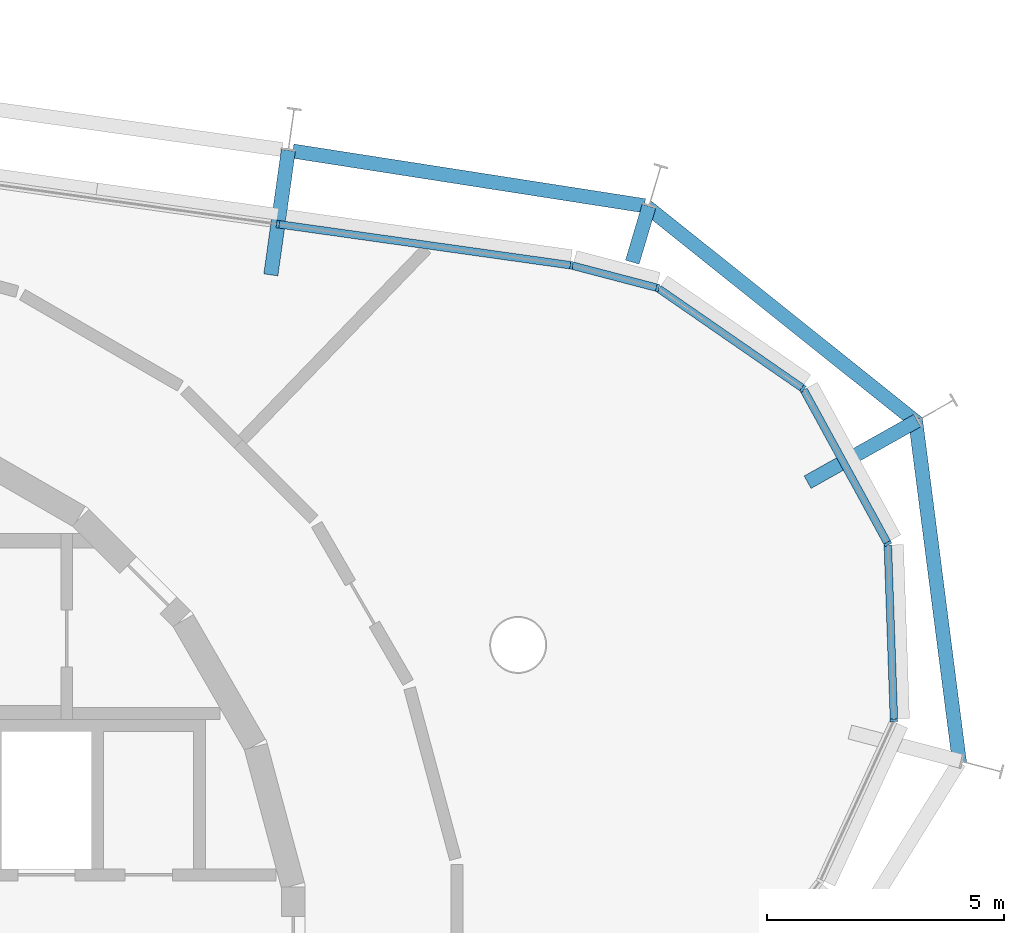
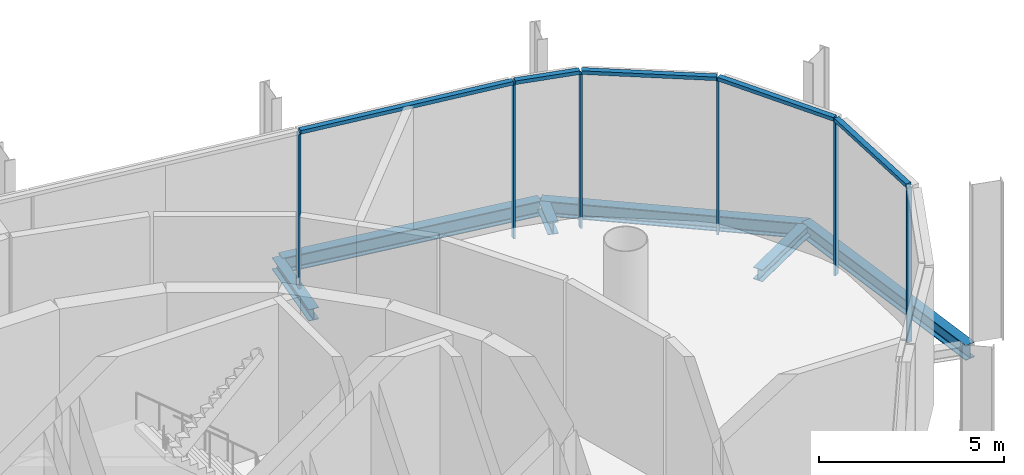
# One storey, part 7 of 12: 11 members, 6 beams, 2 elements without a shape of their own.
"""IFC4 building model written with IfcOpenShell, lengths in metres."""

from ifc_helpers import new_model, si_unit, direction, frame, origin, origin_2d, place, context, subcontext, project, spatial, rectangle, i_section, extrude, material, layer, layer_set, material_profile, profile_set, type_object, element, aggregate, save


model = new_model("IFC4")

# Units and contexts
model_context = context("Model", 3, precision=1e-05, world=origin(), true_north=direction((0.0, 1.0)))
body_context = subcontext(model_context, "Body", "Model", "MODEL_VIEW")
ifc_project = project(units=[si_unit("LENGTHUNIT", "METRE"), si_unit("AREAUNIT", "SQUARE_METRE"), si_unit("VOLUMEUNIT", "CUBIC_METRE"), si_unit("PLANEANGLEUNIT", "RADIAN"), si_unit("MASSUNIT", "GRAM", prefix="KILO")], contexts=[model_context])

# Site, building, storey
site_placement = place(None, origin())
site = spatial("IfcSite", under=ifc_project, at=site_placement, CompositionType="ELEMENT")
building_placement = place(site_placement, origin())
building = spatial("IfcBuilding", under=site, at=building_placement, Name="Spindle Arch Residences", CompositionType="ELEMENT")
storey_placement = place(building_placement, frame((0.0, 0.0, 361.0)))
storey = spatial("IfcBuildingStorey", under=building, at=storey_placement, Name="L93", CompositionType="ELEMENT", Elevation=361.0)

# Curtain wall, members
ifc_material_1 = material(Name="Aluminium bronze unitised frame with tinted glass", Category="aluminium")
ifc_layer = layer(ifc_material_1, 0.159912109375)
ifc_layer_set = layer_set([ifc_layer], Name="CW-F crown plant glazed wall")
curtain_wall_type = type_object("IfcCurtainWallType", Name="CW-F crown plant glazed wall", PredefinedType="NOTDEFINED", material=ifc_layer_set)
curtain_wall_1_placement = place(storey_placement, origin())
curtain_wall_1 = element("IfcCurtainWall", 1, at=curtain_wall_1_placement, inside=storey, type_object=curtain_wall_type, Name="CW-F L93 run 1", PredefinedType="NOTDEFINED")
ifc_material_2 = material(Name="Aluminium bronze anodised mullion", Category="aluminium")
ifc_material_profile_1 = material_profile(ifc_material_2, rectangle(XDim=0.159912109375, YDim=0.06005859375, at=origin_2d()), Name="MU 60x160")
ifc_profile_set_1 = profile_set([ifc_material_profile_1], Name="Aluminium bronze anodised mullion")
member_type_1 = type_object("IfcMemberType", Name="Bronze mullion 60x160", PredefinedType="MULLION", material=ifc_profile_set_1)
member_1_placement = place(storey_placement, frame((24.31201171875, 5.033935546875, -0.3798828125), z_axis=(0.0, 0.0, 1.0), x_axis=(-0.999390827004, -0.034899497139, 0.0)))
member_1 = element("IfcMember", 2, at=member_1_placement, type_object=member_type_1, Name="CW-F mullion 02", PredefinedType="MULLION", context=body_context, shape_type="SweptSolid", body=[
    extrude(rectangle(XDim=0.159912109375, YDim=0.06005859375, at=origin_2d()), origin(), (0.0, 0.0, 1.0), 5.079833984375),
])
member_2_placement = place(storey_placement, frame((24.18212890625, 8.758544921875, -0.3798828125), z_axis=(0.0, 0.0, 1.0), x_axis=(-0.877425397533, -0.479713114021, 0.0)))
member_2 = element("IfcMember", 3, at=member_2_placement, type_object=member_type_1, Name="CW-F mullion 03", PredefinedType="MULLION", context=body_context, shape_type="SweptSolid", body=[
    extrude(rectangle(XDim=0.159912109375, YDim=0.06005859375, at=origin_2d()), origin(), (0.0, 0.0, 1.0), 5.079833984375),
])
member_3_placement = place(storey_placement, frame((22.394287109375, 12.0283203125, -0.3798828125), z_axis=(0.0, 0.0, 1.0), x_axis=(-0.568801123739, -0.822475094841, 0.0)))
member_3 = element("IfcMember", 4, at=member_3_placement, type_object=member_type_1, Name="CW-F mullion 04", PredefinedType="MULLION", context=body_context, shape_type="SweptSolid", body=[
    extrude(rectangle(XDim=0.159912109375, YDim=0.06005859375, at=origin_2d()), origin(), (0.0, 0.0, 1.0), 5.079833984375),
])
member_4_placement = place(storey_placement, frame((19.3291015625, 14.148193359375, -0.3798828125), z_axis=(0.0, 0.0, 1.0), x_axis=(-0.25319517245, -0.967415218326, 0.0)))
member_4 = element("IfcMember", 5, at=member_4_placement, type_object=member_type_1, Name="CW-F mullion 05", PredefinedType="MULLION", context=body_context, shape_type="SweptSolid", body=[
    extrude(rectangle(XDim=0.159912109375, YDim=0.06005859375, at=origin_2d()), origin(), (0.0, 0.0, 1.0), 5.079833984375),
])
member_5_placement = place(storey_placement, frame((17.51416015625, 14.623291015625, -0.3798828125), z_axis=(0.0, 0.0, 1.0), x_axis=(-0.13917310096, -0.990268068742, 0.0)))
member_5 = element("IfcMember", 6, at=member_5_placement, type_object=member_type_1, Name="CW-F mullion 06", PredefinedType="MULLION", context=body_context, shape_type="SweptSolid", body=[
    extrude(rectangle(XDim=0.159912109375, YDim=0.06005859375, at=origin_2d()), origin(), (0.0, 0.0, 1.0), 5.079833984375),
])

# Curtain wall, member
curtain_wall_2_placement = place(storey_placement, origin())
curtain_wall_2 = element("IfcCurtainWall", 7, at=curtain_wall_2_placement, inside=storey, type_object=curtain_wall_type, Name="CW-F L93 run 2", PredefinedType="NOTDEFINED")
member_6_placement = place(storey_placement, frame((11.326171875, 15.492919921875, -0.3798828125), z_axis=(0.0, 0.0, 1.0), x_axis=(-0.13917310096, -0.990268068742, 0.0)))
member_6 = element("IfcMember", 8, at=member_6_placement, type_object=member_type_1, Name="CW-F mullion 05", PredefinedType="MULLION", context=body_context, shape_type="SweptSolid", body=[
    extrude(rectangle(XDim=0.159912109375, YDim=0.06005859375, at=origin_2d()), origin(), (0.0, 0.0, 1.0), 5.079833984375),
])
aggregate(curtain_wall_2, [member_6])

# Member
ifc_material_3 = material(Name="Aluminium bronze anodised transom", Category="aluminium")
ifc_material_profile_2 = material_profile(ifc_material_3, rectangle(XDim=0.159912109375, YDim=0.1201171875, at=origin_2d()), Name="TR 120x160")
ifc_profile_set_2 = profile_set([ifc_material_profile_2], Name="Aluminium bronze anodised transom")
member_type_2 = type_object("IfcMemberType", Name="Bronze transom 120x160", PredefinedType="USERDEFINED", material=ifc_profile_set_2)
member_7_placement = place(storey_placement, frame((24.31103515625, 5.06396484375, 4.760009765625), z_axis=(-0.034888806725, 0.999391200264, 0.0), x_axis=(-0.999391200264, -0.034888806725, 0.0)))
member_7 = element("IfcMember", 9, at=member_7_placement, type_object=member_type_2, Name="CW-F transom 02", ObjectType="TRANSOM", PredefinedType="USERDEFINED", context=body_context, shape_type="SweptSolid", body=[
    extrude(rectangle(XDim=0.159912109375, YDim=0.1201171875, at=origin_2d()), origin(), (0.0, 0.0, 1.0), 3.666748046875),
])

member_8_placement = place(storey_placement, frame((24.167724609375, 8.784912109375, 4.760009765625), z_axis=(-0.479724247399, 0.877419310511, 0.0), x_axis=(-0.877419310511, -0.479724247399, 0.0)))
member_8 = element("IfcMember", 10, at=member_8_placement, type_object=member_type_2, Name="CW-F transom 03", ObjectType="TRANSOM", PredefinedType="USERDEFINED", context=body_context, shape_type="SweptSolid", body=[
    extrude(rectangle(XDim=0.159912109375, YDim=0.1201171875, at=origin_2d()), origin(), (0.0, 0.0, 1.0), 3.666748046875),
])

member_9_placement = place(storey_placement, frame((22.36962890625, 12.04541015625, 4.760009765625), z_axis=(-0.822474926174, 0.568801367628, 0.0), x_axis=(-0.568801367628, -0.822474926174, 0.0)))
member_9 = element("IfcMember", 11, at=member_9_placement, type_object=member_type_2, Name="CW-F transom 04", ObjectType="TRANSOM", PredefinedType="USERDEFINED", context=body_context, shape_type="SweptSolid", body=[
    extrude(rectangle(XDim=0.159912109375, YDim=0.1201171875, at=origin_2d()), origin(), (0.0, 0.0, 1.0), 3.666748046875),
])

member_10_placement = place(storey_placement, frame((19.300048828125, 14.15576171875, 4.760009765625), z_axis=(-0.96739418578, 0.253275520568, 0.0), x_axis=(-0.253275520568, -0.96739418578, 0.0)))
member_10 = element("IfcMember", 12, at=member_10_placement, type_object=member_type_2, Name="CW-F transom 05", ObjectType="TRANSOM", PredefinedType="USERDEFINED", context=body_context, shape_type="SweptSolid", body=[
    extrude(rectangle(XDim=0.159912109375, YDim=0.1201171875, at=origin_2d()), origin(), (0.0, 0.0, 1.0), 1.816162109375),
])

member_11_placement = place(storey_placement, frame((17.484375, 14.62744140625, 4.760009765625), z_axis=(-0.990267285989, 0.139178670423, 0.0), x_axis=(-0.139178670423, -0.990267285989, 0.0)))
member_11 = element("IfcMember", 13, at=member_11_placement, type_object=member_type_2, Name="CW-F transom 06", ObjectType="TRANSOM", PredefinedType="USERDEFINED", context=body_context, shape_type="SweptSolid", body=[
    extrude(rectangle(XDim=0.159912109375, YDim=0.1201171875, at=origin_2d()), origin(), (0.0, 0.0, 1.0), 6.188720703125),
])

aggregate(curtain_wall_1, [member_1, member_7, member_2, member_8, member_3, member_9, member_4, member_10, member_5, member_11])

# Beams
ifc_material_4 = material(Name="Steel S460ML, intumescent coating R 120", Category="steel")
ifc_material_profile_3 = material_profile(ifc_material_4, i_section(OverallWidth=0.300048828125, OverallDepth=0.5, WebThickness=0.014404296875, FlangeThickness=0.028076171875, FilletRadius=0.027099609375, at=origin_2d()), Name="HEB 500")
ifc_profile_set_3 = profile_set([ifc_material_profile_3], Name="Steel S460ML, intumescent coating R 120")
beam_type_1 = type_object("IfcBeamType", Name="Exoskeleton edge beam HEB 500", PredefinedType="BEAM", material=ifc_profile_set_3)
beam_1_placement = place(storey_placement, frame((25.69580078125, 4.128662109375, -0.6298828125), z_axis=(-0.127344466516, 0.991858551835, 0.0), x_axis=(-0.991858551835, -0.127344466516, 0.0)))
element("IfcBeam", 14, at=beam_1_placement, inside=storey, type_object=beam_type_1, Name="Exoskeleton edge beam 3", PredefinedType="BEAM", context=body_context, shape_type="SweptSolid", body=[
    extrude(i_section(OverallWidth=0.300048828125, OverallDepth=0.5, WebThickness=0.014404296875, FlangeThickness=0.028076171875, FilletRadius=0.027099609375, at=origin_2d()), origin(), (0.0, 0.0, 1.0), 7.31591796875),
])
beam_2_placement = place(storey_placement, frame((24.811279296875, 11.30078125, -0.6298828125), z_axis=(-0.781184527882, 0.624300194937, 0.0), x_axis=(-0.624300194937, -0.781184527882, 0.0)))
element("IfcBeam", 15, at=beam_2_placement, inside=storey, type_object=beam_type_1, Name="Exoskeleton edge beam 4", PredefinedType="BEAM", context=body_context, shape_type="SweptSolid", body=[
    extrude(i_section(OverallWidth=0.300048828125, OverallDepth=0.5, WebThickness=0.014404296875, FlangeThickness=0.028076171875, FilletRadius=0.027099609375, at=origin_2d()), origin(), (0.0, 0.0, 1.0), 7.315673828125),
])
beam_3_placement = place(storey_placement, frame((19.051513671875, 15.881103515625, -0.6298828125), z_axis=(-0.988123169285, 0.15366392655, 0.0), x_axis=(-0.15366392655, -0.988123169285, 0.0)))
element("IfcBeam", 16, at=beam_3_placement, inside=storey, type_object=beam_type_1, Name="Exoskeleton edge beam 5", PredefinedType="BEAM", context=body_context, shape_type="SweptSolid", body=[
    extrude(i_section(OverallWidth=0.300048828125, OverallDepth=0.5, WebThickness=0.014404296875, FlangeThickness=0.028076171875, FilletRadius=0.027099609375, at=origin_2d()), origin(), (0.0, 0.0, 1.0), 7.500732421875),
])
ifc_material_5 = material(Name="Steel S460ML, intumescent coating R 120", Category="steel")
ifc_material_profile_4 = material_profile(ifc_material_5, i_section(OverallWidth=0.300048828125, OverallDepth=0.389892578125, WebThickness=0.010986328125, FlangeThickness=0.01904296875, FilletRadius=0.027099609375, at=origin_2d()), Name="HEA 400")
ifc_profile_set_4 = profile_set([ifc_material_profile_4], Name="Steel S460ML, intumescent coating R 120")
beam_type_2 = type_object("IfcBeamType", Name="Floor outrigger HEA 400", PredefinedType="BEAM", material=ifc_profile_set_4)
beam_4_placement = place(storey_placement, frame((24.801513671875, 11.3505859375, -0.574951171875), z_axis=(-0.871686240554, -0.490064381514, 0.0), x_axis=(0.490064381514, -0.871686240554, 0.0)))
element("IfcBeam", 17, at=beam_4_placement, inside=storey, type_object=beam_type_2, Name="Floor outrigger 4", PredefinedType="BEAM", context=body_context, shape_type="SweptSolid", body=[
    extrude(i_section(OverallWidth=0.300048828125, OverallDepth=0.389892578125, WebThickness=0.010986328125, FlangeThickness=0.01904296875, FilletRadius=0.027099609375, at=origin_2d()), origin(), (0.0, 0.0, 1.0), 2.64990234375),
])
beam_5_placement = place(storey_placement, frame((19.147216796875, 15.869384765625, -0.574951171875), z_axis=(-0.285798722121, -0.958289669377, 0.0), x_axis=(0.958289669377, -0.285798722121, 0.0)))
element("IfcBeam", 18, at=beam_5_placement, inside=storey, type_object=beam_type_2, Name="Floor outrigger 5", PredefinedType="BEAM", context=body_context, shape_type="SweptSolid", body=[
    extrude(i_section(OverallWidth=0.300048828125, OverallDepth=0.389892578125, WebThickness=0.010986328125, FlangeThickness=0.01904296875, FilletRadius=0.027099609375, at=origin_2d()), origin(), (0.0, 0.0, 1.0), 1.229248046875),
])
beam_6_placement = place(storey_placement, frame((11.544921875, 17.047607421875, -0.574951171875), z_axis=(-0.1392026036, -0.990263921968, 0.0), x_axis=(0.990263921968, -0.1392026036, 0.0)))
element("IfcBeam", 19, at=beam_6_placement, inside=storey, type_object=beam_type_2, Name="Floor outrigger 6", PredefinedType="BEAM", context=body_context, shape_type="SweptSolid", body=[
    extrude(i_section(OverallWidth=0.300048828125, OverallDepth=0.389892578125, WebThickness=0.010986328125, FlangeThickness=0.01904296875, FilletRadius=0.027099609375, at=origin_2d()), origin(), (0.0, 0.0, 1.0), 2.650146484375),
])

save(model, "model.ifc")
